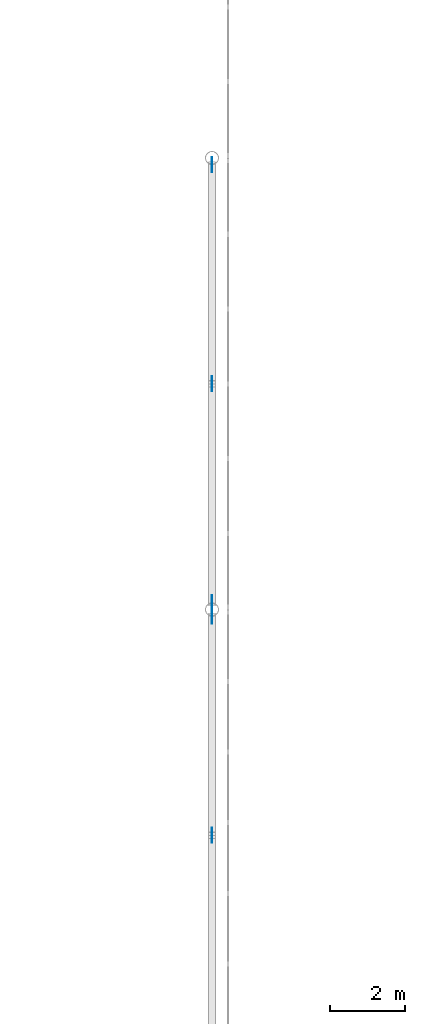
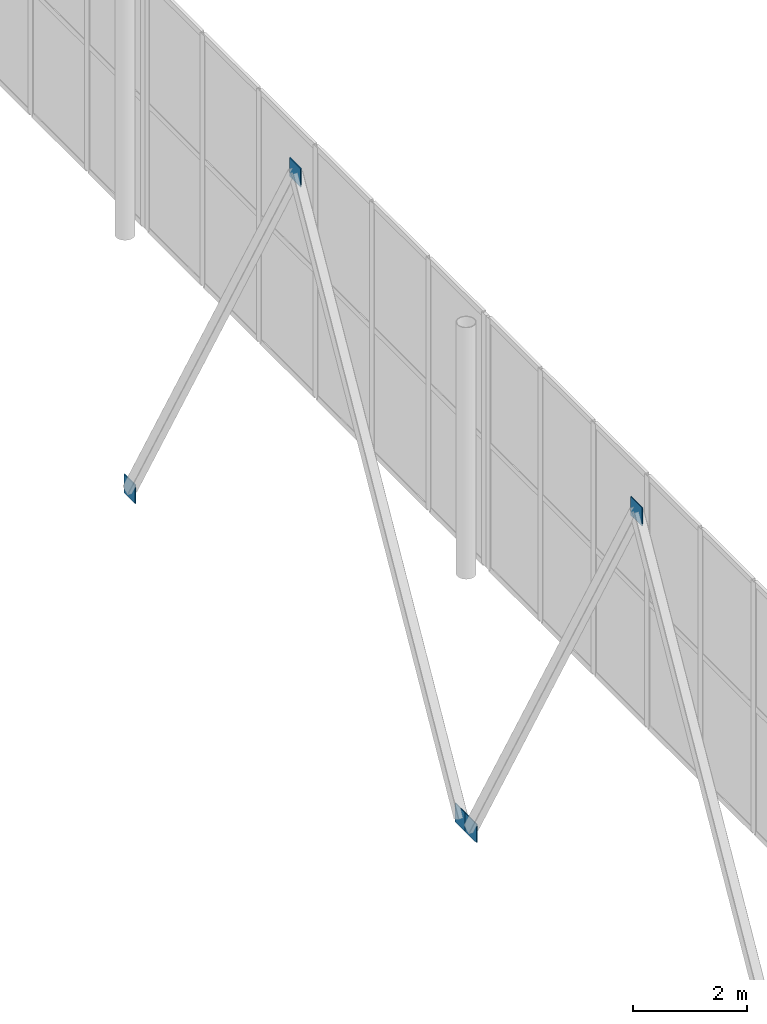
# One storey, part 153 of 170: 5 discrete accessories.
"""IFC4 building model written with IfcOpenShell, lengths in metres."""

from ifc_helpers import new_model, si_unit, direction, frame, origin, origin_2d, place, context, subcontext, project, spatial, rectangle, extrude, material, material_profile, profile_set, type_object, element, save


model = new_model("IFC4")

# Units and contexts
model_context = context("Model", 3, precision=1e-05, world=origin(), true_north=direction((0.0, 1.0)))
body_context = subcontext(model_context, "Body", "Model", "MODEL_VIEW")
ifc_project = project(units=[si_unit("LENGTHUNIT", "METRE"), si_unit("AREAUNIT", "SQUARE_METRE"), si_unit("VOLUMEUNIT", "CUBIC_METRE"), si_unit("PLANEANGLEUNIT", "RADIAN"), si_unit("MASSUNIT", "GRAM", prefix="KILO")], contexts=[model_context])

# Site, building, storey
site_placement = place(None, origin())
site = spatial("IfcSite", under=ifc_project, at=site_placement, CompositionType="ELEMENT")
building_placement = place(site_placement, origin())
building = spatial("IfcBuilding", under=site, at=building_placement, Name="Ravi Spectrum Wholesale Market", CompositionType="ELEMENT")
storey_placement = place(building_placement, frame((0.0, 0.0, 5.39990234375)))
storey = spatial("IfcBuildingStorey", under=building, at=storey_placement, Name="L01", CompositionType="ELEMENT", Elevation=5.39990234375)

# Discrete accessories
ifc_material = material(Name="Steel S355", Category="steel")
ifc_material_profile = material_profile(ifc_material, rectangle(XDim=0.39990234375, YDim=0.02001953125, at=origin_2d()))
ifc_profile_set = profile_set([ifc_material_profile], Name="Steel S355")
discrete_accessory_type = type_object("IfcDiscreteAccessoryType", Name="Gusset plate 400x400x20", PredefinedType="BRACKET", material=ifc_profile_set)
discrete_accessory_1_placement = place(storey_placement, frame((162.0, 144.0, 4.775146484375), z_axis=(0.0, 0.0, 1.0), x_axis=(0.0, 1.0, 0.0)))
element("IfcDiscreteAccessory", 1, at=discrete_accessory_1_placement, inside=storey, type_object=discrete_accessory_type, Name="Gusset plate", PredefinedType="BRACKET", context=body_context, shape_type="SweptSolid", body=[
    extrude(rectangle(XDim=0.39990234375, YDim=0.02001953125, at=origin_2d()), origin(), (0.0, 0.0, 1.0), 0.39990234375),
])
for number, where, z_axis, x_axis, name in (
    (2, (162.0, 149.822265625, -5.550537109375), (0.0, 0.0, 1.0), (0.0, -1.0, 0.0), "Gusset plate"),
    (3, (162.0, 150.177734375, -5.550537109375), (0.0, 0.0, 1.0), (0.0, 1.0, 0.0), "Gusset plate"),
):
    element("IfcDiscreteAccessory", number, at=place(storey_placement, frame(where, z_axis=z_axis, x_axis=x_axis)), inside=storey, type_object=discrete_accessory_type, Name=name, PredefinedType="BRACKET", context=body_context, shape_type="SweptSolid", body=[
        extrude(rectangle(XDim=0.39990234375, YDim=0.02001953125, at=origin_2d()), origin(), (0.0, 0.0, 1.0), 0.400146484375),
    ])
discrete_accessory_2_placement = place(storey_placement, frame((162.0, 156.0, 4.775146484375), z_axis=(0.0, 0.0, 1.0), x_axis=(0.0, 1.0, 0.0)))
element("IfcDiscreteAccessory", 4, at=discrete_accessory_2_placement, inside=storey, type_object=discrete_accessory_type, Name="Gusset plate", PredefinedType="BRACKET", context=body_context, shape_type="SweptSolid", body=[
    extrude(rectangle(XDim=0.39990234375, YDim=0.02001953125, at=origin_2d()), origin(), (0.0, 0.0, 1.0), 0.39990234375),
])
discrete_accessory_3_placement = place(storey_placement, frame((162.0, 161.822265625, -5.550537109375), z_axis=(0.0, 0.0, 1.0), x_axis=(0.0, -1.0, 0.0)))
element("IfcDiscreteAccessory", 5, at=discrete_accessory_3_placement, inside=storey, type_object=discrete_accessory_type, Name="Gusset plate", PredefinedType="BRACKET", context=body_context, shape_type="SweptSolid", body=[
    extrude(rectangle(XDim=0.39990234375, YDim=0.02001953125, at=origin_2d()), origin(), (0.0, 0.0, 1.0), 0.400146484375),
])

save(model, "model.ifc")
